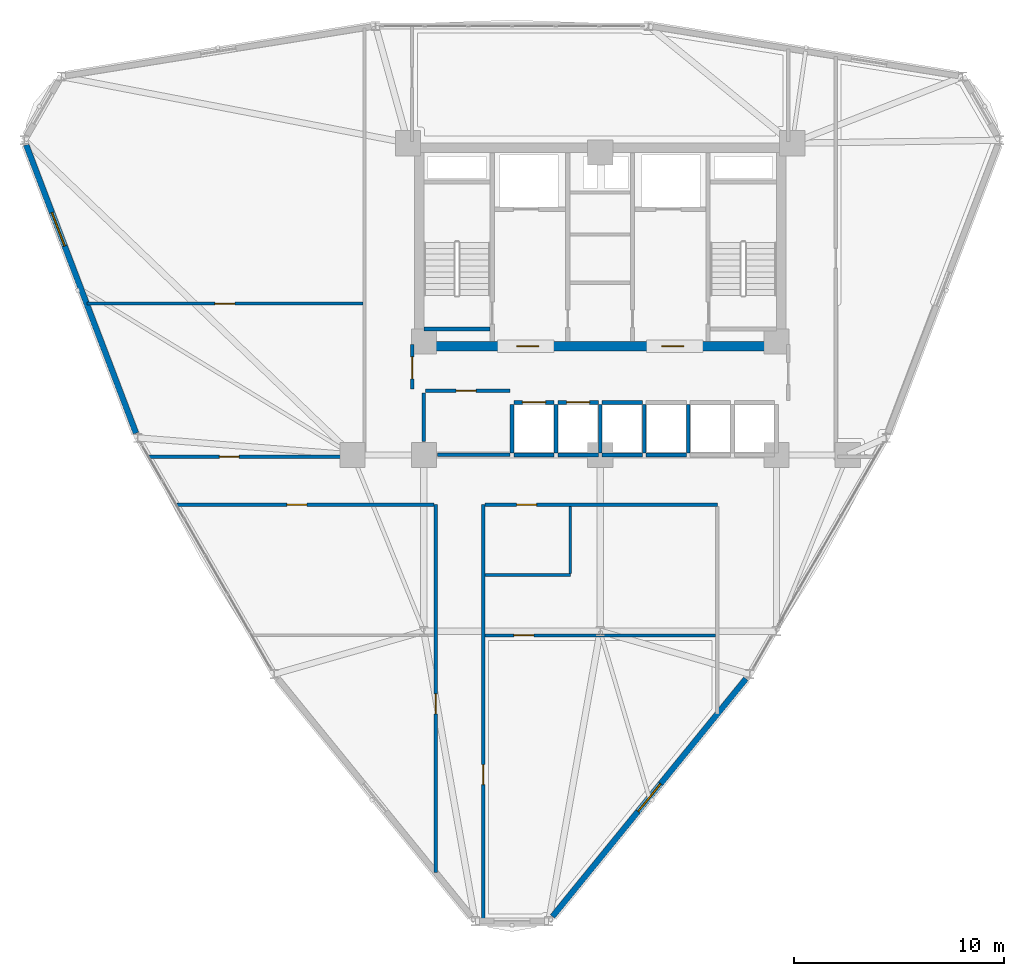
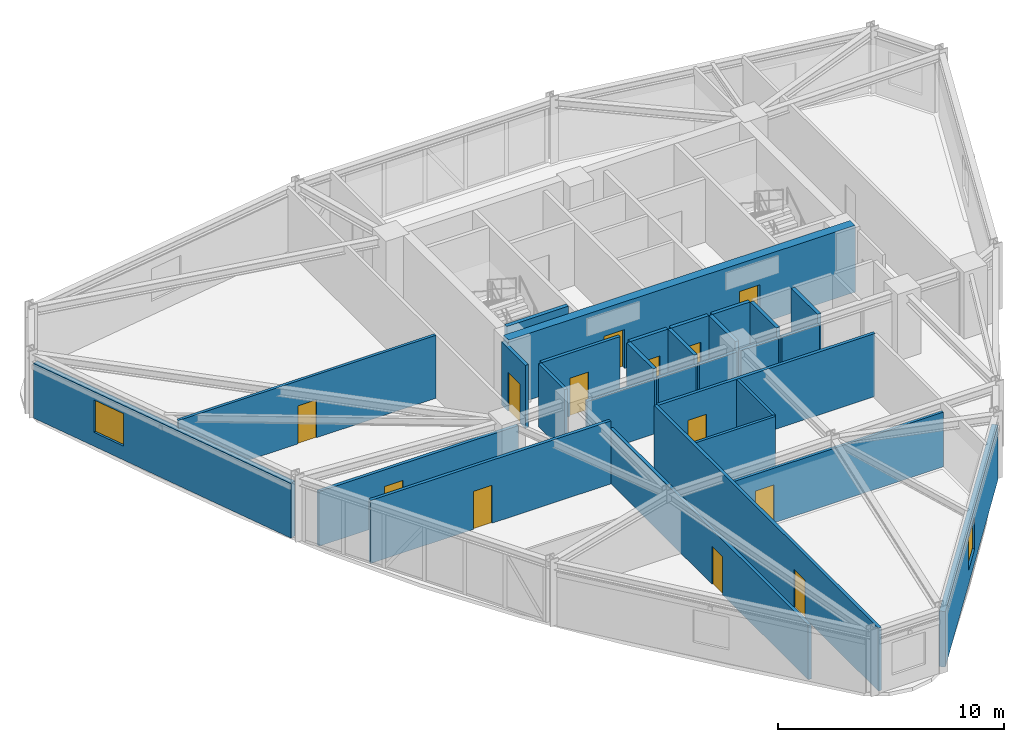
# One storey, part 10 of 15: 29 walls, 13 doors, 2 windows, 15 openings.
"""IFC4 building model written with IfcOpenShell, lengths in metres."""

import ifcopenshell
import ifcopenshell.guid

model = None  # the IFC model being written
_history = None  # IfcOwnerHistory: only IFC2X3 demands one
_inside = {}  # id of a spatial element -> (the spatial element, [elements in it])
_under = {}  # id of a project, library or spatial element -> (it, [spatial elements below it])
_declared = {}  # id of a project -> (the project, [libraries it declares])
_typed = {}  # id of a type object -> (the type object, [elements of that type])
_made_of = {}  # id of a material, layer set ... -> (it, [elements and type objects made of it])


def new_model(schema):
    """Start an empty IFC model of exactly this schema.

    Asked for "IFC4X3", IfcOpenShell would pick the latest addendum, in which some entities
    have other attributes; the version numbers below select the first issue.
    IFC2X3 requires an IfcOwnerHistory on every rooted entity: one is made here for all.
    """
    global model, _history
    if schema == "IFC4X3":
        model = ifcopenshell.file(schema_version=(4, 3, 0, 0))
    else:
        model = ifcopenshell.file(schema=schema)
    _inside.clear()
    _under.clear()
    _declared.clear()
    _typed.clear()
    _made_of.clear()
    _history = None
    if model.schema == "IFC2X3":
        org = make("IfcOrganization", Name="unknown")
        user = make(
            "IfcPersonAndOrganization",
            ThePerson=make("IfcPerson", FamilyName="unknown"),
            TheOrganization=org,
        )
        app = make(
            "IfcApplication",
            ApplicationDeveloper=org,
            Version="unknown",
            ApplicationFullName="unknown",
            ApplicationIdentifier="unknown",
        )
        _history = make(
            "IfcOwnerHistory",
            OwningUser=user,
            OwningApplication=app,
            ChangeAction="ADDED",
            CreationDate=0,
        )
    return model


def make(cls, **values):
    """One entity of the class cls with the attributes given. An attribute that is None is left unset."""
    return model.create_entity(
        cls, **{name: value for name, value in values.items() if value is not None}
    )


def rooted(cls, **values):
    """An entity with a GlobalId (a new one), such as an element, a storey or a relation."""
    return make(cls, GlobalId=ifcopenshell.guid.new(), OwnerHistory=_history, **values)


def si_unit(unit_type, name, prefix=None):
    """IfcSIUnit, for example si_unit("LENGTHUNIT", "METRE", prefix="MILLI")."""
    return make("IfcSIUnit", UnitType=unit_type, Prefix=prefix, Name=name)


def derived_unit(unit_type, elements):
    """IfcDerivedUnit: a product of units, each with its exponent."""
    return make(
        "IfcDerivedUnit",
        Elements=[
            make("IfcDerivedUnitElement", Unit=unit, Exponent=power)
            for unit, power in elements
        ],
        UnitType=unit_type,
    )


def assignment(units):
    """IfcUnitAssignment: the units of a project."""
    return None if units is None else make("IfcUnitAssignment", Units=units)


def point(xyz):
    """IfcCartesianPoint."""
    return None if xyz is None else make("IfcCartesianPoint", Coordinates=xyz)


def direction(xyz):
    """IfcDirection."""
    return None if xyz is None else make("IfcDirection", DirectionRatios=xyz)


def frame(location, z_axis=None, x_axis=None):
    """IfcAxis2Placement3D, a coordinate frame: its origin and axes. An axis left out is left unset."""
    return make(
        "IfcAxis2Placement3D",
        Location=point(location),
        Axis=direction(z_axis),
        RefDirection=direction(x_axis),
    )


def frame_2d(location, x_axis=None):
    """IfcAxis2Placement2D, a coordinate frame in the plane: its origin and x axis."""
    return make(
        "IfcAxis2Placement2D", Location=point(location), RefDirection=direction(x_axis)
    )


def origin():
    """The frame at (0, 0, 0) with its axes left unset."""
    return frame((0.0, 0.0, 0.0))


def place(relative_to, where):
    """IfcLocalPlacement: puts the frame where relative to a parent placement (None: the world)."""
    return make(
        "IfcLocalPlacement", PlacementRelTo=relative_to, RelativePlacement=where
    )


def context(
    kind, dimensions, precision=None, world=None, true_north=None, identifier=None
):
    """IfcGeometricRepresentationContext, for example the 3D "Model" context."""
    return make(
        "IfcGeometricRepresentationContext",
        ContextIdentifier=identifier,
        ContextType=kind,
        CoordinateSpaceDimension=dimensions,
        Precision=precision,
        WorldCoordinateSystem=world,
        TrueNorth=true_north,
    )


def subcontext(parent, identifier, kind, view, scale=None):
    """IfcGeometricRepresentationSubContext, for example "Body" below "Model"."""
    return make(
        "IfcGeometricRepresentationSubContext",
        ContextIdentifier=identifier,
        ContextType=kind,
        ParentContext=parent,
        TargetScale=scale,
        TargetView=view,
    )


def project(units=None, contexts=None):
    """IfcProject with its units and contexts."""
    return rooted(
        "IfcProject",
        Name="project",
        RepresentationContexts=contexts,
        UnitsInContext=assignment(units),
    )


def spatial(cls, under=None, at=None, **own):
    """A site, building, storey or space (cls), placed at a placement, below another one or the project."""
    s = rooted(cls, ObjectPlacement=at, **own)
    if under is not None:
        _under.setdefault(under.id(), (under, []))[1].append(s)
    return s


def profile(cls, at=None, kind="AREA", **sizes):
    """A parametric profile (cls). Its sizes go by their IFC names, for example OverallWidth=200.0."""
    return make(cls, ProfileType=kind, Position=at, **sizes)


def rectangle(**sizes):
    """IfcRectangleProfileDef."""
    return profile("IfcRectangleProfileDef", **sizes)


def extrude(swept, where, along, depth):
    """IfcExtrudedAreaSolid: the profile swept, set in the frame where, extruded along a direction by depth."""
    return make(
        "IfcExtrudedAreaSolid",
        SweptArea=swept,
        Position=where,
        ExtrudedDirection=direction(along),
        Depth=depth,
    )


def shape(context_of_items, identifier, shape_type, items):
    """IfcShapeRepresentation: the items that make up one representation, for example the "Body"."""
    return make(
        "IfcShapeRepresentation",
        ContextOfItems=context_of_items,
        RepresentationIdentifier=identifier,
        RepresentationType=shape_type,
        Items=items,
    )


def material(Name=None, Category=None):
    """IfcMaterial."""
    return make("IfcMaterial", Name=Name, Category=Category)


def layer(
    of_material, thickness, ventilated=None, Name=None, Category=None, Priority=None
):
    """IfcMaterialLayer: one layer of a wall or slab, of a material (None: an air gap)."""
    return make(
        "IfcMaterialLayer",
        Material=of_material,
        LayerThickness=thickness,
        IsVentilated=ventilated,
        Name=Name,
        Category=Category,
        Priority=Priority,
    )


def layer_set(layers, Name=None):
    """IfcMaterialLayerSet."""
    return make("IfcMaterialLayerSet", MaterialLayers=layers, LayerSetName=Name)


def made_of(thing, what):
    """Note that an element or type object is made of a material, layer set ...; save() writes the relation."""
    if what is not None:
        _made_of.setdefault(what.id(), (what, []))[1].append(thing)
    return thing


def type_object(cls, material=None, **own):
    """A type object (cls), such as IfcWallType, which elements share."""
    return made_of(rooted(cls, **own), material)


def element(
    cls,
    number,
    at=None,
    inside=None,
    cuts=None,
    type_object=None,
    material=None,
    context=None,
    identifier="Body",
    shape_type=None,
    held_by="IfcProductDefinitionShape",
    body=None,
    shapes=None,
    **own,
):
    """One element of the class cls, such as IfcWall. Its Tag is "e" and its number.

    at: its placement. inside: the storey or other place that contains it. cuts: it is an
    opening in that element (IfcRelVoidsElement). A single representation is given by context,
    identifier, shape_type and body (its items); several are given by shapes. held_by: the class
    of the entity that holds the representations. save() writes the other relations.
    """
    e = rooted(cls, Tag="e%d" % number, ObjectPlacement=at, **own)
    if body is not None:
        shapes = [shape(context, identifier, shape_type, body)]
    if shapes is not None:
        e.Representation = make(held_by, Representations=shapes)
    if inside is not None:
        _inside.setdefault(inside.id(), (inside, []))[1].append(e)
    if cuts is not None:
        rooted(
            "IfcRelVoidsElement", RelatingBuildingElement=cuts, RelatedOpeningElement=e
        )
    if type_object is not None:
        _typed.setdefault(type_object.id(), (type_object, []))[1].append(e)
    return made_of(e, material)


def fill(opening, filler):
    """IfcRelFillsElement: the door or window that sits in an opening."""
    return rooted(
        "IfcRelFillsElement",
        RelatingOpeningElement=opening,
        RelatedBuildingElement=filler,
    )


def aggregate(whole, parts):
    """IfcRelAggregates: a whole, such as a stair, and the parts it consists of."""
    return rooted("IfcRelAggregates", RelatingObject=whole, RelatedObjects=parts)


def save(model, path):
    """Write the relations noted so far, then the file.

    IfcRelAggregates (storeys below a building ...), IfcRelContainedInSpatialStructure (elements
    in a storey), IfcRelDefinesByType, IfcRelAssociatesMaterial and IfcRelDeclares: one each for
    every whole, place, type object, material and project.
    """
    for whole, parts in _under.values():
        aggregate(whole, parts)
    for where, things in _inside.values():
        rooted(
            "IfcRelContainedInSpatialStructure",
            RelatedElements=things,
            RelatingStructure=where,
        )
    for kind, things in _typed.values():
        rooted("IfcRelDefinesByType", RelatedObjects=things, RelatingType=kind)
    for what, things in _made_of.values():
        rooted("IfcRelAssociatesMaterial", RelatedObjects=things, RelatingMaterial=what)
    for by, libraries in _declared.values():
        rooted("IfcRelDeclares", RelatingContext=by, RelatedDefinitions=libraries)
    model.write(path)


model = new_model("IFC4")

# Units and contexts
model_context = context("Model", 3, precision=1e-05, world=origin(), true_north=direction((0.0, 1.0)))
body_context = subcontext(model_context, "Body", "Model", "MODEL_VIEW")
ifc_project = project(units=[si_unit("LENGTHUNIT", "METRE"), si_unit("AREAUNIT", "SQUARE_METRE"), si_unit("VOLUMEUNIT", "CUBIC_METRE"), si_unit("PLANEANGLEUNIT", "RADIAN"), si_unit("MASSUNIT", "GRAM", prefix="KILO"), derived_unit("THERMALTRANSMITTANCEUNIT", [(si_unit("POWERUNIT", "WATT"), 1), (si_unit("LENGTHUNIT", "METRE"), -2), (si_unit("THERMODYNAMICTEMPERATUREUNIT", "KELVIN"), -1)])], contexts=[model_context])

# Site, building, storey
site_placement = place(None, origin())
site = spatial("IfcSite", under=ifc_project, at=site_placement, CompositionType="ELEMENT")
building_placement = place(site_placement, origin())
building = spatial("IfcBuilding", under=site, at=building_placement, Name="Korsvarv Bourse and Concert Hall", CompositionType="ELEMENT")
storey_placement = place(building_placement, frame((0.0, 0.0, 147.0)))
storey = spatial("IfcBuildingStorey", under=building, at=storey_placement, Name="L37", CompositionType="ELEMENT", Elevation=147.0)

# Wall
ifc_material_1 = material(Name="Concrete C50/60", Category="concrete")
ifc_layer_1 = layer(ifc_material_1, 0.3798828125)
ifc_layer_set_1 = layer_set([ifc_layer_1], Name="Concrete C50/60")
wall_type_1 = type_object("IfcWallType", Name="WL-CORE-380", PredefinedType="SHEAR", material=ifc_layer_set_1)
wall_1_placement = place(storey_placement, frame((27.610107421875, 38.39990234375, 0.0), z_axis=(0.0, 0.0, 1.0), x_axis=(1.0, 0.0, 0.0)))
element("IfcWall", 1, at=wall_1_placement, inside=storey, type_object=wall_type_1, Name="L37 stair shaft structural wall W-L37-ST1-S", PredefinedType="SHEAR", context=body_context, shape_type="SweptSolid", body=[
    extrude(rectangle(XDim=3.139892578125, YDim=0.199951171875, at=frame_2d((1.56982421875, 0.0))), origin(), (0.0, 0.0, 1.0), 3.60009765625),
])

# Wall, openings, doors
ifc_material_2 = material(Name="Concrete C55/67", Category="concrete")
ifc_layer_2 = layer(ifc_material_2, 0.449951171875)
ifc_layer_set_2 = layer_set([ifc_layer_2], Name="Concrete C55/67")
wall_type_2 = type_object("IfcWallType", Name="WL-CORE-450", PredefinedType="SHEAR", material=ifc_layer_set_2)
wall_2_placement = place(storey_placement, frame((27.14990234375, 37.574951171875, 0.0), z_axis=(0.0, 0.0, 1.0), x_axis=(1.0, 0.0, 0.0)))
wall_2 = element("IfcWall", 2, at=wall_2_placement, inside=storey, type_object=wall_type_2, Name="L37 South Core Shear Wall", PredefinedType="SHEAR", context=body_context, shape_type="SweptSolid", body=[
    extrude(rectangle(XDim=17.7001953125, YDim=0.449951171875, at=frame_2d((8.85009765625, 0.0))), origin(), (0.0, 0.0, 1.0), 3.60009765625),
])
opening_1_placement = place(wall_2_placement, frame((4.875, 0.0, 0.0)))
opening_1 = element("IfcOpeningElement", 3, at=opening_1_placement, cuts=wall_2, Name="Opening D-01", PredefinedType="OPENING", context=body_context, shape_type="SweptSolid", body=[
    extrude(rectangle(XDim=1.050048828125, YDim=2.10009765625, at=frame_2d((0.52490234375, 1.050048828125))), frame((0.0, 0.23486328125, 0.0), z_axis=(0.0, -1.0, 0.0), x_axis=(1.0, 0.0, 0.0)), (0.0, 0.0, 1.0), 0.469970703125),
])
opening_2_placement = place(wall_2_placement, frame((11.77490234375, 0.0, 0.0)))
opening_2 = element("IfcOpeningElement", 4, at=opening_2_placement, cuts=wall_2, Name="Opening D-01", PredefinedType="OPENING", context=body_context, shape_type="SweptSolid", body=[
    extrude(rectangle(XDim=1.050048828125, YDim=2.10009765625, at=frame_2d((0.52490234375, 1.050048828125))), frame((0.0, 0.23486328125, 0.0), z_axis=(0.0, -1.0, 0.0), x_axis=(1.0, 0.0, 0.0)), (0.0, 0.0, 1.0), 0.469970703125),
])
ifc_material_3 = material(Name="Steel S355 fire door", Category="steel")
door_type_1 = type_object("IfcDoorType", Name="DR-FD60", OperationType="NOTDEFINED", PredefinedType="DOOR", material=ifc_material_3)
door_1_placement = place(opening_1_placement, frame((1.050048828125, 0.0, 0.0), z_axis=(0.0, 0.0, 1.0), x_axis=(-1.0, 0.0, 0.0)))
door_1 = element("IfcDoor", 5, at=door_1_placement, inside=storey, type_object=door_type_1, Name="L37 firefighting lobby fire door DR-L37-FFLW", OperationType="SINGLE_SWING_LEFT", OverallHeight=2.10009765625, OverallWidth=1.050048828125, PredefinedType="DOOR", context=body_context, shape_type="SweptSolid", body=[
    extrude(rectangle(XDim=1.050048828125, YDim=2.10009765625, at=frame_2d((0.52490234375, 1.050048828125))), frame((0.0, 0.02490234375, 0.0), z_axis=(0.0, -1.0, 0.0), x_axis=(1.0, 0.0, 0.0)), (0.0, 0.0, 1.0), 0.050048828125),
])
fill(opening_1, door_1)
door_2_placement = place(opening_2_placement, frame((1.050048828125, 0.0, 0.0), z_axis=(0.0, 0.0, 1.0), x_axis=(-1.0, 0.0, 0.0)))
door_2 = element("IfcDoor", 6, at=door_2_placement, inside=storey, type_object=door_type_1, Name="L37 firefighting lobby fire door DR-L37-FFLE", OperationType="SINGLE_SWING_RIGHT", OverallHeight=2.10009765625, OverallWidth=1.050048828125, PredefinedType="DOOR", context=body_context, shape_type="SweptSolid", body=[
    extrude(rectangle(XDim=1.050048828125, YDim=2.10009765625, at=frame_2d((0.52490234375, 1.050048828125))), frame((0.0, 0.02490234375, 0.0), z_axis=(0.0, -1.0, 0.0), x_axis=(1.0, 0.0, 0.0)), (0.0, 0.0, 1.0), 0.050048828125),
])
fill(opening_2, door_2)

# Wall, opening, window
ifc_material_4 = material(Name="Precast concrete C45/55 with fluted terracotta pier", Category="concrete")
ifc_layer_3 = layer(ifc_material_4, 0.280029296875)
ifc_layer_set_3 = layer_set([ifc_layer_3], Name="Precast concrete C45/55 with fluted terracotta pier")
wall_type_3 = type_object("IfcWallType", Name="WL-EXT-TC2", PredefinedType="SOLIDWALL", material=ifc_layer_set_3)
wall_3_placement = place(storey_placement, frame((8.65087890625, 47.16748046875, 0.0), z_axis=(0.0, 0.0, 1.0), x_axis=(0.356077530784, -0.934456415287, 0.0)))
wall_3 = element("IfcWall", 7, at=wall_3_placement, inside=storey, type_object=wall_type_3, Name="L37 terracotta exterior wall EW-L37-B06", PredefinedType="SOLIDWALL", context=body_context, shape_type="SweptSolid", body=[
    extrude(rectangle(XDim=14.69677734375, YDim=0.280029296875, at=frame_2d((7.348388671875, 0.0))), origin(), (0.0, 0.0, 1.0), 2.949951171875),
])
opening_3_placement = place(wall_3_placement, frame((3.44921875, 0.0, 0.75)))
opening_3 = element("IfcOpeningElement", 8, at=opening_3_placement, cuts=wall_3, Name="Opening W-01", PredefinedType="OPENING", context=body_context, shape_type="SweptSolid", body=[
    extrude(rectangle(XDim=1.699951171875, YDim=1.75, at=frame_2d((0.85009765625, 0.875))), frame((0.0, 0.14990234375, 0.0), z_axis=(0.0, -1.0, 0.0), x_axis=(1.0, 0.0, 0.0)), (0.0, 0.0, 1.0), 0.300048828125),
])
ifc_material_5 = material(Name="Thermally broken aluminium frame with triple low-E glass", Category="glass")
window_type = type_object("IfcWindowType", Name="WIN-TW1", PartitioningType="SINGLE_PANEL", PredefinedType="WINDOW", material=ifc_material_5)
window_1_placement = place(opening_3_placement, origin())
window_1 = element("IfcWindow", 9, at=window_1_placement, inside=storey, type_object=window_type, Name="L37 punched facade window W-01", OverallHeight=1.75, OverallWidth=1.699951171875, PartitioningType="SINGLE_PANEL", PredefinedType="WINDOW", context=body_context, shape_type="SweptSolid", body=[
    extrude(rectangle(XDim=1.699951171875, YDim=1.75, at=frame_2d((0.85009765625, 0.875))), frame((0.0, 0.030029296875, 0.0), z_axis=(0.0, -1.0, 0.0), x_axis=(1.0, 0.0, 0.0)), (0.0, 0.0, 1.0), 0.06005859375),
])
fill(opening_3, window_1)

wall_4_placement = place(storey_placement, frame((33.73388671875, 10.40625, 0.0), z_axis=(0.0, 0.0, 1.0), x_axis=(0.631219465915, 0.775604271423, 0.0)))
wall_4 = element("IfcWall", 10, at=wall_4_placement, inside=storey, type_object=wall_type_3, Name="L37 terracotta exterior wall EW-L37-B10", PredefinedType="SOLIDWALL", context=body_context, shape_type="SweptSolid", body=[
    extrude(rectangle(XDim=14.599365234375, YDim=0.280029296875, at=frame_2d((7.2998046875, 0.0))), origin(), (0.0, 0.0, 1.0), 3.0),
])
opening_4_placement = place(wall_4_placement, frame((6.44970703125, 0.0, 0.75)))
opening_4 = element("IfcOpeningElement", 11, at=opening_4_placement, cuts=wall_4, Name="Opening W-01", PredefinedType="OPENING", context=body_context, shape_type="SweptSolid", body=[
    extrude(rectangle(XDim=1.699951171875, YDim=1.75, at=frame_2d((0.85009765625, 0.875))), frame((0.0, 0.14990234375, 0.0), z_axis=(0.0, -1.0, 0.0), x_axis=(1.0, 0.0, 0.0)), (0.0, 0.0, 1.0), 0.300048828125),
])
window_2_placement = place(opening_4_placement, origin())
window_2 = element("IfcWindow", 12, at=window_2_placement, inside=storey, type_object=window_type, Name="L37 punched facade window W-01", OverallHeight=1.75, OverallWidth=1.699951171875, PartitioningType="SINGLE_PANEL", PredefinedType="WINDOW", context=body_context, shape_type="SweptSolid", body=[
    extrude(rectangle(XDim=1.699951171875, YDim=1.75, at=frame_2d((0.85009765625, 0.875))), frame((0.0, 0.030029296875, 0.0), z_axis=(0.0, -1.0, 0.0), x_axis=(1.0, 0.0, 0.0)), (0.0, 0.0, 1.0), 0.06005859375),
])
fill(opening_4, window_2)

# Walls
ifc_material_6 = material(Name="Double-stud fire-rated acoustic partition", Category="gypsum")
ifc_layer_4 = layer(ifc_material_6, 0.159912109375)
ifc_layer_set_4 = layer_set([ifc_layer_4], Name="Double-stud fire-rated acoustic partition")
wall_type_4 = type_object("IfcWallType", Name="WL-INT-EI60", PredefinedType="PARTITIONING", material=ifc_layer_set_4)
wall_5_placement = place(storey_placement, frame((28.25, 32.39990234375, 0.0), z_axis=(0.0, 0.0, 1.0), x_axis=(1.0, 0.0, 0.0)))
element("IfcWall", 13, at=wall_5_placement, inside=storey, type_object=wall_type_4, Name="L37 interior partition wall W-L37-FRD-S", PredefinedType="PARTITIONING", context=body_context, shape_type="SweptSolid", body=[
    extrude(rectangle(XDim=3.449951171875, YDim=0.159912109375, at=frame_2d((1.72509765625, 0.0))), origin(), (0.0, 0.0, 1.0), 2.949951171875),
])
wall_6_placement = place(storey_placement, frame((27.60009765625, 33.050048828125, 0.0), z_axis=(0.0, 0.0, 1.0), x_axis=(0.0, 1.0, 0.0)))
element("IfcWall", 14, at=wall_6_placement, inside=storey, type_object=wall_type_4, Name="L37 interior partition wall W-L37-FRD-W", PredefinedType="PARTITIONING", context=body_context, shape_type="SweptSolid", body=[
    extrude(rectangle(XDim=2.31005859375, YDim=0.159912109375, at=frame_2d((1.155029296875, 0.0))), origin(), (0.0, 0.0, 1.0), 3.39990234375),
])

# Wall, opening, door
wall_7_placement = place(storey_placement, frame((27.68994140625, 35.449951171875, 0.0), z_axis=(0.0, 0.0, 1.0), x_axis=(1.0, 0.0, 0.0)))
wall_7 = element("IfcWall", 15, at=wall_7_placement, inside=storey, type_object=wall_type_4, Name="L37 interior partition wall W-L37-FRD-N", PredefinedType="PARTITIONING", context=body_context, shape_type="SweptSolid", body=[
    extrude(rectangle(XDim=4.010009765625, YDim=0.159912109375, at=frame_2d((2.0048828125, 0.0))), origin(), (0.0, 0.0, 1.0), 3.39990234375),
])
opening_5_placement = place(wall_7_placement, frame((1.449951171875, 0.0, 0.0)))
opening_5 = element("IfcOpeningElement", 16, at=opening_5_placement, cuts=wall_7, Name="Opening D-03", PredefinedType="OPENING", context=body_context, shape_type="SweptSolid", body=[
    extrude(rectangle(XDim=0.949951171875, YDim=2.050048828125, at=frame_2d((0.47509765625, 1.02490234375))), frame((0.0, 0.08984375, 0.0), z_axis=(0.0, -1.0, 0.0), x_axis=(1.0, 0.0, 0.0)), (0.0, 0.0, 1.0), 0.179931640625),
])
ifc_material_7 = material(Name="Nordic oak acoustic office door", Category="wood")
door_type_2 = type_object("IfcDoorType", Name="DR-INT-1", OperationType="NOTDEFINED", PredefinedType="DOOR", material=ifc_material_7)
door_3_placement = place(opening_5_placement, origin())
door_3 = element("IfcDoor", 17, at=door_3_placement, inside=storey, type_object=door_type_2, Name="L37 interior door DR-L37-FRDN1", OperationType="SINGLE_SWING_LEFT", OverallHeight=2.050048828125, OverallWidth=0.949951171875, PredefinedType="DOOR", context=body_context, shape_type="SweptSolid", body=[
    extrude(rectangle(XDim=0.949951171875, YDim=2.050048828125, at=frame_2d((0.47509765625, 1.02490234375))), frame((0.0, 0.02490234375, 0.0), z_axis=(0.0, -1.0, 0.0), x_axis=(1.0, 0.0, 0.0)), (0.0, 0.0, 1.0), 0.050048828125),
])
fill(opening_5, door_3)

wall_8_placement = place(storey_placement, frame((27.0400390625, 35.5400390625, 0.0), z_axis=(0.0, 0.0, 1.0), x_axis=(0.0, 1.0, 0.0)))
wall_8 = element("IfcWall", 18, at=wall_8_placement, inside=storey, type_object=wall_type_4, Name="L37 interior partition wall W-L37-LOB-WL", PredefinedType="PARTITIONING", context=body_context, shape_type="SweptSolid", body=[
    extrude(rectangle(XDim=2.10986328125, YDim=0.159912109375, at=frame_2d((1.054931640625, 0.0))), origin(), (0.0, 0.0, 1.0), 3.39990234375),
])
opening_6_placement = place(wall_8_placement, frame((0.47998046875, 0.0, 0.0)))
opening_6 = element("IfcOpeningElement", 19, at=opening_6_placement, cuts=wall_8, Name="Opening D-01", PredefinedType="OPENING", context=body_context, shape_type="SweptSolid", body=[
    extrude(rectangle(XDim=1.050048828125, YDim=2.10009765625, at=frame_2d((0.52490234375, 1.050048828125))), frame((0.0, 0.08984375, 0.0), z_axis=(0.0, -1.0, 0.0), x_axis=(1.0, 0.0, 0.0)), (0.0, 0.0, 1.0), 0.179931640625),
])
door_4_placement = place(opening_6_placement, frame((1.050048828125, 0.0, 0.0), z_axis=(0.0, 0.0, 1.0), x_axis=(-1.0, 0.0, 0.0)))
door_4 = element("IfcDoor", 20, at=door_4_placement, inside=storey, type_object=door_type_1, Name="L37 interior door DR-L37-LOBW", OperationType="SINGLE_SWING_RIGHT", OverallHeight=2.10009765625, OverallWidth=1.050048828125, PredefinedType="DOOR", context=body_context, shape_type="SweptSolid", body=[
    extrude(rectangle(XDim=1.050048828125, YDim=2.10009765625, at=frame_2d((0.52490234375, 1.050048828125))), frame((0.0, 0.02490234375, 0.0), z_axis=(0.0, -1.0, 0.0), x_axis=(1.0, 0.0, 0.0)), (0.0, 0.0, 1.0), 0.050048828125),
])
fill(opening_6, door_4)

wall_9_placement = place(storey_placement, frame((30.425048828125, 10.203857421875, 0.0), z_axis=(0.0, 0.0, 1.0), x_axis=(0.0, 1.0, 0.0)))
wall_9 = element("IfcWall", 21, at=wall_9_placement, inside=storey, type_object=wall_type_4, Name="L37 interior partition wall W-L37-TCOR-02", PredefinedType="PARTITIONING", context=body_context, shape_type="SweptSolid", body=[
    extrude(rectangle(XDim=19.826171875, YDim=0.159912109375, at=frame_2d((9.9130859375, 0.0))), origin(), (0.0, 0.0, 1.0), 3.39990234375),
])
opening_7_placement = place(wall_9_placement, frame((6.484375, 0.0, 0.0)))
opening_7 = element("IfcOpeningElement", 22, at=opening_7_placement, cuts=wall_9, Name="Opening D-02", PredefinedType="OPENING", context=body_context, shape_type="SweptSolid", body=[
    extrude(rectangle(XDim=0.949951171875, YDim=2.050048828125, at=frame_2d((0.47509765625, 1.02490234375))), frame((0.0, 0.08984375, 0.0), z_axis=(0.0, -1.0, 0.0), x_axis=(1.0, 0.0, 0.0)), (0.0, 0.0, 1.0), 0.179931640625),
])
ifc_material_8 = material(Name="Timber and steel acoustic fire door", Category="wood")
door_type_3 = type_object("IfcDoorType", Name="DR-FD30", OperationType="NOTDEFINED", PredefinedType="DOOR", material=ifc_material_8)
door_5_placement = place(opening_7_placement, origin())
door_5 = element("IfcDoor", 23, at=door_5_placement, inside=storey, type_object=door_type_3, Name="L37 interior door DR-L37-TCOR-BAR3", OperationType="SINGLE_SWING_RIGHT", OverallHeight=2.050048828125, OverallWidth=0.949951171875, PredefinedType="DOOR", context=body_context, shape_type="SweptSolid", body=[
    extrude(rectangle(XDim=0.949951171875, YDim=2.050048828125, at=frame_2d((0.47509765625, 1.02490234375))), frame((0.0, 0.02490234375, 0.0), z_axis=(0.0, -1.0, 0.0), x_axis=(1.0, 0.0, 0.0)), (0.0, 0.0, 1.0), 0.050048828125),
])
fill(opening_7, door_5)

wall_10_placement = place(storey_placement, frame((28.175048828125, 12.504150390625, 0.0), z_axis=(0.0, 0.0, 1.0), x_axis=(0.0, 1.0, 0.0)))
wall_10 = element("IfcWall", 24, at=wall_10_placement, inside=storey, type_object=wall_type_4, Name="L37 interior partition wall W-L37-TCOR-04", PredefinedType="PARTITIONING", context=body_context, shape_type="SweptSolid", body=[
    extrude(rectangle(XDim=17.52587890625, YDim=0.159912109375, at=frame_2d((8.762939453125, 0.0))), origin(), (0.0, 0.0, 1.0), 2.949951171875),
])
opening_8_placement = place(wall_10_placement, frame((7.55712890625, 0.0, 0.0)))
opening_8 = element("IfcOpeningElement", 25, at=opening_8_placement, cuts=wall_10, Name="Opening D-02", PredefinedType="OPENING", context=body_context, shape_type="SweptSolid", body=[
    extrude(rectangle(XDim=0.949951171875, YDim=2.050048828125, at=frame_2d((0.47509765625, 1.02490234375))), frame((0.0, 0.08984375, 0.0), z_axis=(0.0, -1.0, 0.0), x_axis=(1.0, 0.0, 0.0)), (0.0, 0.0, 1.0), 0.179931640625),
])
door_6_placement = place(opening_8_placement, origin())
door_6 = element("IfcDoor", 26, at=door_6_placement, inside=storey, type_object=door_type_3, Name="L37 interior door DR-L37-TCOR-EDR5", OperationType="SINGLE_SWING_RIGHT", OverallHeight=2.050048828125, OverallWidth=0.949951171875, PredefinedType="DOOR", context=body_context, shape_type="SweptSolid", body=[
    extrude(rectangle(XDim=0.949951171875, YDim=2.050048828125, at=frame_2d((0.47509765625, 1.02490234375))), frame((0.0, 0.02490234375, 0.0), z_axis=(0.0, -1.0, 0.0), x_axis=(1.0, 0.0, 0.0)), (0.0, 0.0, 1.0), 0.050048828125),
])
fill(opening_8, door_6)

wall_11_placement = place(storey_placement, frame((15.82861328125, 30.02490234375, 0.0), z_axis=(0.0, 0.0, 1.0), x_axis=(1.0, 0.0, 0.0)))
wall_11 = element("IfcWall", 27, at=wall_11_placement, inside=storey, type_object=wall_type_4, Name="L37 interior partition wall W-L37-TCOR-05", PredefinedType="PARTITIONING", context=body_context, shape_type="SweptSolid", body=[
    extrude(rectangle(XDim=12.264404296875, YDim=0.159912109375, at=frame_2d((6.13232421875, 0.0))), origin(), (0.0, 0.0, 1.0), 3.39990234375),
])
opening_9_placement = place(wall_11_placement, frame((5.245361328125, 0.0, 0.0)))
opening_9 = element("IfcOpeningElement", 28, at=opening_9_placement, cuts=wall_11, Name="Opening D-02", PredefinedType="OPENING", context=body_context, shape_type="SweptSolid", body=[
    extrude(rectangle(XDim=0.949951171875, YDim=2.050048828125, at=frame_2d((0.47509765625, 1.02490234375))), frame((0.0, 0.08984375, 0.0), z_axis=(0.0, -1.0, 0.0), x_axis=(1.0, 0.0, 0.0)), (0.0, 0.0, 1.0), 0.179931640625),
])
door_7_placement = place(opening_9_placement, origin())
door_7 = element("IfcDoor", 29, at=door_7_placement, inside=storey, type_object=door_type_3, Name="L37 interior door DR-L37-TCOR-WDR6", OperationType="SINGLE_SWING_LEFT", OverallHeight=2.050048828125, OverallWidth=0.949951171875, PredefinedType="DOOR", context=body_context, shape_type="SweptSolid", body=[
    extrude(rectangle(XDim=0.949951171875, YDim=2.050048828125, at=frame_2d((0.47509765625, 1.02490234375))), frame((0.0, 0.02490234375, 0.0), z_axis=(0.0, -1.0, 0.0), x_axis=(1.0, 0.0, 0.0)), (0.0, 0.0, 1.0), 0.050048828125),
])
fill(opening_9, door_7)

wall_12_placement = place(storey_placement, frame((30.507080078125, 30.02490234375, 0.0), z_axis=(0.0, 0.0, 1.0), x_axis=(1.0, 0.0, 0.0)))
wall_12 = element("IfcWall", 30, at=wall_12_placement, inside=storey, type_object=wall_type_4, Name="L37 interior partition wall W-L37-TCOR-06", PredefinedType="PARTITIONING", context=body_context, shape_type="SweptSolid", body=[
    extrude(rectangle(XDim=11.072998046875, YDim=0.159912109375, at=frame_2d((5.53662109375, 0.0))), origin(), (0.0, 0.0, 1.0), 3.39990234375),
])
opening_10_placement = place(wall_12_placement, frame((1.51220703125, 0.0, 0.0)))
opening_10 = element("IfcOpeningElement", 31, at=opening_10_placement, cuts=wall_12, Name="Opening D-02", PredefinedType="OPENING", context=body_context, shape_type="SweptSolid", body=[
    extrude(rectangle(XDim=0.949951171875, YDim=2.050048828125, at=frame_2d((0.47509765625, 1.02490234375))), frame((0.0, 0.08984375, 0.0), z_axis=(0.0, -1.0, 0.0), x_axis=(1.0, 0.0, 0.0)), (0.0, 0.0, 1.0), 0.179931640625),
])
door_8_placement = place(opening_10_placement, origin())
door_8 = element("IfcDoor", 32, at=door_8_placement, inside=storey, type_object=door_type_3, Name="L37 interior door DR-L37-TCOR-RWC", OperationType="SINGLE_SWING_RIGHT", OverallHeight=2.050048828125, OverallWidth=0.949951171875, PredefinedType="DOOR", context=body_context, shape_type="SweptSolid", body=[
    extrude(rectangle(XDim=0.949951171875, YDim=2.050048828125, at=frame_2d((0.47509765625, 1.02490234375))), frame((0.0, 0.02490234375, 0.0), z_axis=(0.0, -1.0, 0.0), x_axis=(1.0, 0.0, 0.0)), (0.0, 0.0, 1.0), 0.050048828125),
])
fill(opening_10, door_8)

wall_13_placement = place(storey_placement, frame((14.506591796875, 32.31494140625, 0.0), z_axis=(0.0, 0.0, 1.0), x_axis=(1.0, 0.0, 0.0)))
wall_13 = element("IfcWall", 33, at=wall_13_placement, inside=storey, type_object=wall_type_4, Name="L37 interior partition wall W-L37-TCOR-07", PredefinedType="PARTITIONING", context=body_context, shape_type="SweptSolid", body=[
    extrude(rectangle(XDim=10.1865234375, YDim=0.159912109375, at=frame_2d((5.09326171875, 0.0))), origin(), (0.0, 0.0, 1.0), 2.949951171875),
])
opening_11_placement = place(wall_13_placement, frame((3.346923828125, 0.0, 0.0)))
opening_11 = element("IfcOpeningElement", 34, at=opening_11_placement, cuts=wall_13, Name="Opening D-02", PredefinedType="OPENING", context=body_context, shape_type="SweptSolid", body=[
    extrude(rectangle(XDim=0.949951171875, YDim=2.050048828125, at=frame_2d((0.47509765625, 1.02490234375))), frame((0.0, 0.08984375, 0.0), z_axis=(0.0, -1.0, 0.0), x_axis=(1.0, 0.0, 0.0)), (0.0, 0.0, 1.0), 0.179931640625),
])
door_9_placement = place(opening_11_placement, origin())
door_9 = element("IfcDoor", 35, at=door_9_placement, inside=storey, type_object=door_type_3, Name="L37 interior door DR-L37-TCOR-KIT7", OperationType="SINGLE_SWING_LEFT", OverallHeight=2.050048828125, OverallWidth=0.949951171875, PredefinedType="DOOR", context=body_context, shape_type="SweptSolid", body=[
    extrude(rectangle(XDim=0.949951171875, YDim=2.050048828125, at=frame_2d((0.47509765625, 1.02490234375))), frame((0.0, 0.02490234375, 0.0), z_axis=(0.0, -1.0, 0.0), x_axis=(1.0, 0.0, 0.0)), (0.0, 0.0, 1.0), 0.050048828125),
])
fill(opening_11, door_9)

ifc_material_9 = material(Name="Gypsum-clad autoclaved concrete shaft wall C30/37", Category="concrete")
ifc_layer_5 = layer(ifc_material_9, 0.179931640625)
ifc_layer_set_5 = layer_set([ifc_layer_5], Name="Gypsum-clad autoclaved concrete shaft wall C30/37")
wall_type_5 = type_object("IfcWallType", Name="WL-INT-EI90", PredefinedType="PARTITIONING", material=ifc_layer_set_5)
wall_14_placement = place(storey_placement, frame((31.889892578125, 34.89990234375, 0.0), z_axis=(0.0, 0.0, 1.0), x_axis=(1.0, 0.0, 0.0)))
wall_14 = element("IfcWall", 36, at=wall_14_placement, inside=storey, type_object=wall_type_5, Name="L37 interior partition wall W-L37-SHFN-PM1", PredefinedType="PARTITIONING", context=body_context, shape_type="SweptSolid", body=[
    extrude(rectangle(XDim=1.920166015625, YDim=0.179931640625, at=frame_2d((0.9599609375, 0.0))), origin(), (0.0, 0.0, 1.0), 3.39990234375),
])
opening_12_placement = place(wall_14_placement, frame((0.409912109375, 0.0, 0.0)))
opening_12 = element("IfcOpeningElement", 37, at=opening_12_placement, cuts=wall_14, Name="Opening LD-2", PredefinedType="OPENING", context=body_context, shape_type="SweptSolid", body=[
    extrude(rectangle(XDim=1.10009765625, YDim=2.10009765625, at=frame_2d((0.550048828125, 1.050048828125))), frame((0.0, 0.10009765625, 0.0), z_axis=(0.0, -1.0, 0.0), x_axis=(1.0, 0.0, 0.0)), (0.0, 0.0, 1.0), 0.199951171875),
])
ifc_material_10 = material(Name="Brushed stainless Steel S355 lift landing door", Category="steel")
door_type_4 = type_object("IfcDoorType", Name="DR-LIFT-P", OperationType="DOUBLE_DOOR_SLIDING", PredefinedType="DOOR", material=ifc_material_10)
door_10_placement = place(opening_12_placement, origin())
door_10 = element("IfcDoor", 38, at=door_10_placement, inside=storey, type_object=door_type_4, Name="L37 lift sliding landing door LD-L37-PM1", OperationType="DOUBLE_DOOR_SLIDING", OverallHeight=2.10009765625, OverallWidth=1.10009765625, PredefinedType="DOOR", context=body_context, shape_type="SweptSolid", body=[
    extrude(rectangle(XDim=1.10009765625, YDim=2.10009765625, at=frame_2d((0.550048828125, 1.050048828125))), frame((0.0, 0.02490234375, 0.0), z_axis=(0.0, -1.0, 0.0), x_axis=(1.0, 0.0, 0.0)), (0.0, 0.0, 1.0), 0.050048828125),
])
fill(opening_12, door_10)

# Walls
wall_15_placement = place(storey_placement, frame((31.889892578125, 32.39990234375, 0.0), z_axis=(0.0, 0.0, 1.0), x_axis=(1.0, 0.0, 0.0)))
element("IfcWall", 39, at=wall_15_placement, inside=storey, type_object=wall_type_5, Name="L37 interior partition wall W-L37-SHFS-PM1", PredefinedType="PARTITIONING", context=body_context, shape_type="SweptSolid", body=[
    extrude(rectangle(XDim=1.920166015625, YDim=0.179931640625, at=frame_2d((0.9599609375, 0.0))), origin(), (0.0, 0.0, 1.0), 2.949951171875),
])
wall_16_placement = place(storey_placement, frame((31.800048828125, 32.489990234375, 0.0), z_axis=(0.0, 0.0, 1.0), x_axis=(0.0, 1.0, 0.0)))
element("IfcWall", 40, at=wall_16_placement, inside=storey, type_object=wall_type_5, Name="L37 interior partition wall W-L37-SHFW-PM1", PredefinedType="PARTITIONING", context=body_context, shape_type="SweptSolid", body=[
    extrude(rectangle(XDim=2.320068359375, YDim=0.179931640625, at=frame_2d((1.16015625, 0.0))), origin(), (0.0, 0.0, 1.0), 3.39990234375),
])

# Wall, opening, door
wall_17_placement = place(storey_placement, frame((33.989990234375, 34.89990234375, 0.0), z_axis=(0.0, 0.0, 1.0), x_axis=(1.0, 0.0, 0.0)))
wall_17 = element("IfcWall", 41, at=wall_17_placement, inside=storey, type_object=wall_type_5, Name="L37 interior partition wall W-L37-SHFN-PM2", PredefinedType="PARTITIONING", context=body_context, shape_type="SweptSolid", body=[
    extrude(rectangle(XDim=1.919921875, YDim=0.179931640625, at=frame_2d((0.9599609375, 0.0))), origin(), (0.0, 0.0, 1.0), 3.39990234375),
])
opening_13_placement = place(wall_17_placement, frame((0.409912109375, 0.0, 0.0)))
opening_13 = element("IfcOpeningElement", 42, at=opening_13_placement, cuts=wall_17, Name="Opening LD-2", PredefinedType="OPENING", context=body_context, shape_type="SweptSolid", body=[
    extrude(rectangle(XDim=1.10009765625, YDim=2.10009765625, at=frame_2d((0.550048828125, 1.050048828125))), frame((0.0, 0.10009765625, 0.0), z_axis=(0.0, -1.0, 0.0), x_axis=(1.0, 0.0, 0.0)), (0.0, 0.0, 1.0), 0.199951171875),
])
door_11_placement = place(opening_13_placement, origin())
door_11 = element("IfcDoor", 43, at=door_11_placement, inside=storey, type_object=door_type_4, Name="L37 lift sliding landing door LD-L37-PM2", OperationType="DOUBLE_DOOR_SLIDING", OverallHeight=2.10009765625, OverallWidth=1.10009765625, PredefinedType="DOOR", context=body_context, shape_type="SweptSolid", body=[
    extrude(rectangle(XDim=1.10009765625, YDim=2.10009765625, at=frame_2d((0.550048828125, 1.050048828125))), frame((0.0, 0.02490234375, 0.0), z_axis=(0.0, -1.0, 0.0), x_axis=(1.0, 0.0, 0.0)), (0.0, 0.0, 1.0), 0.050048828125),
])
fill(opening_13, door_11)

# Walls
wall_18_placement = place(storey_placement, frame((33.989990234375, 32.39990234375, 0.0), z_axis=(0.0, 0.0, 1.0), x_axis=(1.0, 0.0, 0.0)))
element("IfcWall", 44, at=wall_18_placement, inside=storey, type_object=wall_type_5, Name="L37 interior partition wall W-L37-SHFS-PM2", PredefinedType="PARTITIONING", context=body_context, shape_type="SweptSolid", body=[
    extrude(rectangle(XDim=1.919921875, YDim=0.179931640625, at=frame_2d((0.9599609375, 0.0))), origin(), (0.0, 0.0, 1.0), 2.949951171875),
])
wall_19_placement = place(storey_placement, frame((33.89990234375, 32.489990234375, 0.0), z_axis=(0.0, 0.0, 1.0), x_axis=(0.0, 1.0, 0.0)))
element("IfcWall", 45, at=wall_19_placement, inside=storey, type_object=wall_type_5, Name="L37 interior partition wall W-L37-SHFW-PM2", PredefinedType="PARTITIONING", context=body_context, shape_type="SweptSolid", body=[
    extrude(rectangle(XDim=2.320068359375, YDim=0.179931640625, at=frame_2d((1.16015625, 0.0))), origin(), (0.0, 0.0, 1.0), 3.39990234375),
])
wall_20_placement = place(storey_placement, frame((36.090087890625, 34.89990234375, 0.0), z_axis=(0.0, 0.0, 1.0), x_axis=(1.0, 0.0, 0.0)))
element("IfcWall", 46, at=wall_20_placement, inside=storey, type_object=wall_type_5, Name="L37 interior partition wall W-L37-SHFN-PH1", PredefinedType="PARTITIONING", context=body_context, shape_type="SweptSolid", body=[
    extrude(rectangle(XDim=1.919921875, YDim=0.179931640625, at=frame_2d((0.9599609375, 0.0))), origin(), (0.0, 0.0, 1.0), 3.39990234375),
])
wall_21_placement = place(storey_placement, frame((36.090087890625, 32.39990234375, 0.0), z_axis=(0.0, 0.0, 1.0), x_axis=(1.0, 0.0, 0.0)))
element("IfcWall", 47, at=wall_21_placement, inside=storey, type_object=wall_type_5, Name="L37 interior partition wall W-L37-SHFS-PH1", PredefinedType="PARTITIONING", context=body_context, shape_type="SweptSolid", body=[
    extrude(rectangle(XDim=1.919921875, YDim=0.179931640625, at=frame_2d((0.9599609375, 0.0))), origin(), (0.0, 0.0, 1.0), 2.949951171875),
])
wall_22_placement = place(storey_placement, frame((36.0, 32.489990234375, 0.0), z_axis=(0.0, 0.0, 1.0), x_axis=(0.0, 1.0, 0.0)))
element("IfcWall", 48, at=wall_22_placement, inside=storey, type_object=wall_type_5, Name="L37 interior partition wall W-L37-SHFW-PH1", PredefinedType="PARTITIONING", context=body_context, shape_type="SweptSolid", body=[
    extrude(rectangle(XDim=2.320068359375, YDim=0.179931640625, at=frame_2d((1.16015625, 0.0))), origin(), (0.0, 0.0, 1.0), 3.39990234375),
])
wall_23_placement = place(storey_placement, frame((38.18994140625, 32.39990234375, 0.0), z_axis=(0.0, 0.0, 1.0), x_axis=(1.0, 0.0, 0.0)))
element("IfcWall", 49, at=wall_23_placement, inside=storey, type_object=wall_type_5, Name="L37 interior partition wall W-L37-SHFS-PH2", PredefinedType="PARTITIONING", context=body_context, shape_type="SweptSolid", body=[
    extrude(rectangle(XDim=1.920166015625, YDim=0.179931640625, at=frame_2d((0.9599609375, 0.0))), origin(), (0.0, 0.0, 1.0), 2.949951171875),
])
for number, where, z_axis, x_axis, name in (
    (50, (38.10009765625, 32.489990234375, 0.0), (0.0, 0.0, 1.0), (0.0, 1.0, 0.0), "L37 interior partition wall W-L37-SHFW-PH2"),
    (51, (40.199951171875, 32.489990234375, 0.0), (0.0, 0.0, 1.0), (0.0, 1.0, 0.0), "L37 interior partition wall W-L37-SHFW-PO1"),
):
    element("IfcWall", number, at=place(storey_placement, frame(where, z_axis=z_axis, x_axis=x_axis)), inside=storey, type_object=wall_type_5, Name=name, PredefinedType="PARTITIONING", context=body_context, shape_type="SweptSolid", body=[
        extrude(rectangle(XDim=2.320068359375, YDim=0.179931640625, at=frame_2d((1.16015625, 0.0))), origin(), (0.0, 0.0, 1.0), 3.39990234375),
    ])

# Wall, opening, door
ifc_material_11 = material(Name="Insulated steel-stud office acoustic partition", Category="gypsum")
ifc_layer_6 = layer(ifc_material_11, 0.139892578125)
ifc_layer_set_6 = layer_set([ifc_layer_6], Name="Insulated steel-stud office acoustic partition")
wall_type_6 = type_object("IfcWallType", Name="WL-INT-P1", PredefinedType="PARTITIONING", material=ifc_layer_set_6)
wall_24_placement = place(storey_placement, frame((11.552490234375, 39.60498046875, 0.0), z_axis=(0.0, 0.0, 1.0), x_axis=(1.0, 0.0, 0.0)))
wall_24 = element("IfcWall", 52, at=wall_24_placement, inside=storey, type_object=wall_type_6, Name="L37 interior partition wall W-L37-TCOR-12", PredefinedType="PARTITIONING", context=body_context, shape_type="SweptSolid", body=[
    extrude(rectangle(XDim=13.140625, YDim=0.139892578125, at=frame_2d((6.5703125, 0.0))), origin(), (0.0, 0.0, 1.0), 3.39990234375),
])
opening_14_placement = place(wall_24_placement, frame((6.09521484375, 0.0, 0.0)))
opening_14 = element("IfcOpeningElement", 53, at=opening_14_placement, cuts=wall_24, Name="Opening D-03", PredefinedType="OPENING", context=body_context, shape_type="SweptSolid", body=[
    extrude(rectangle(XDim=0.949951171875, YDim=2.050048828125, at=frame_2d((0.47509765625, 1.02490234375))), frame((0.0, 0.080078125, 0.0), z_axis=(0.0, -1.0, 0.0), x_axis=(1.0, 0.0, 0.0)), (0.0, 0.0, 1.0), 0.159912109375),
])
door_12_placement = place(opening_14_placement, origin())
door_12 = element("IfcDoor", 54, at=door_12_placement, inside=storey, type_object=door_type_2, Name="L37 interior door DR-L37-TCOR-PRP8", OperationType="SINGLE_SWING_LEFT", OverallHeight=2.050048828125, OverallWidth=0.949951171875, PredefinedType="DOOR", context=body_context, shape_type="SweptSolid", body=[
    extrude(rectangle(XDim=0.949951171875, YDim=2.050048828125, at=frame_2d((0.47509765625, 1.02490234375))), frame((0.0, 0.02490234375, 0.0), z_axis=(0.0, -1.0, 0.0), x_axis=(1.0, 0.0, 0.0)), (0.0, 0.0, 1.0), 0.050048828125),
])
fill(opening_14, door_12)

wall_25_placement = place(storey_placement, frame((30.507080078125, 23.804931640625, 0.0), z_axis=(0.0, 0.0, 1.0), x_axis=(1.0, 0.0, 0.0)))
wall_25 = element("IfcWall", 55, at=wall_25_placement, inside=storey, type_object=wall_type_6, Name="L37 interior partition wall W-L37-TCOR-13", PredefinedType="PARTITIONING", context=body_context, shape_type="SweptSolid", body=[
    extrude(rectangle(XDim=10.98583984375, YDim=0.139892578125, at=frame_2d((5.492919921875, 0.0))), origin(), (0.0, 0.0, 1.0), 2.949951171875),
])
opening_15_placement = place(wall_25_placement, frame((1.3876953125, 0.0, 0.0)))
opening_15 = element("IfcOpeningElement", 56, at=opening_15_placement, cuts=wall_25, Name="Opening D-03", PredefinedType="OPENING", context=body_context, shape_type="SweptSolid", body=[
    extrude(rectangle(XDim=0.949951171875, YDim=2.050048828125, at=frame_2d((0.47509765625, 1.02490234375))), frame((0.0, 0.080078125, 0.0), z_axis=(0.0, -1.0, 0.0), x_axis=(1.0, 0.0, 0.0)), (0.0, 0.0, 1.0), 0.159912109375),
])
door_13_placement = place(opening_15_placement, origin())
door_13 = element("IfcDoor", 57, at=door_13_placement, inside=storey, type_object=door_type_2, Name="L37 interior door DR-L37-TCOR-RST4", OperationType="SINGLE_SWING_RIGHT", OverallHeight=2.050048828125, OverallWidth=0.949951171875, PredefinedType="DOOR", context=body_context, shape_type="SweptSolid", body=[
    extrude(rectangle(XDim=0.949951171875, YDim=2.050048828125, at=frame_2d((0.47509765625, 1.02490234375))), frame((0.0, 0.02490234375, 0.0), z_axis=(0.0, -1.0, 0.0), x_axis=(1.0, 0.0, 0.0)), (0.0, 0.0, 1.0), 0.050048828125),
])
fill(opening_15, door_13)

# Walls
wall_26_placement = place(storey_placement, frame((30.507080078125, 26.675048828125, 0.0), z_axis=(0.0, 0.0, 1.0), x_axis=(1.0, 0.0, 0.0)))
element("IfcWall", 58, at=wall_26_placement, inside=storey, type_object=wall_type_6, Name="L37 interior partition wall W-L37-TCOR-15", PredefinedType="PARTITIONING", context=body_context, shape_type="SweptSolid", body=[
    extrude(rectangle(XDim=4.072998046875, YDim=0.139892578125, at=frame_2d((2.03662109375, 0.0))), origin(), (0.0, 0.0, 1.0), 3.39990234375),
])
wall_27_placement = place(storey_placement, frame((34.574951171875, 26.7470703125, 0.0), z_axis=(0.0, 0.0, 1.0), x_axis=(0.0, 1.0, 0.0)))
element("IfcWall", 59, at=wall_27_placement, inside=storey, type_object=wall_type_6, Name="L37 interior partition wall W-L37-TCOR-16", PredefinedType="PARTITIONING", context=body_context, shape_type="SweptSolid", body=[
    extrude(rectangle(XDim=3.196044921875, YDim=0.139892578125, at=frame_2d((1.59814453125, 0.0))), origin(), (0.0, 0.0, 1.0), 3.39990234375),
])

save(model, "model.ifc")
